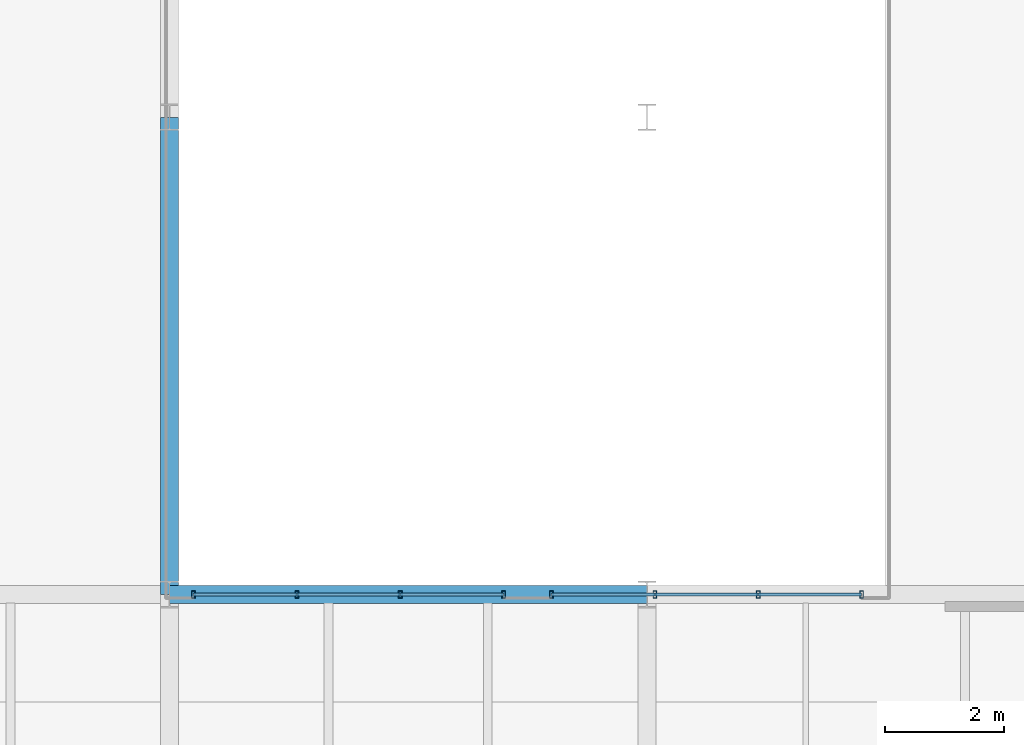
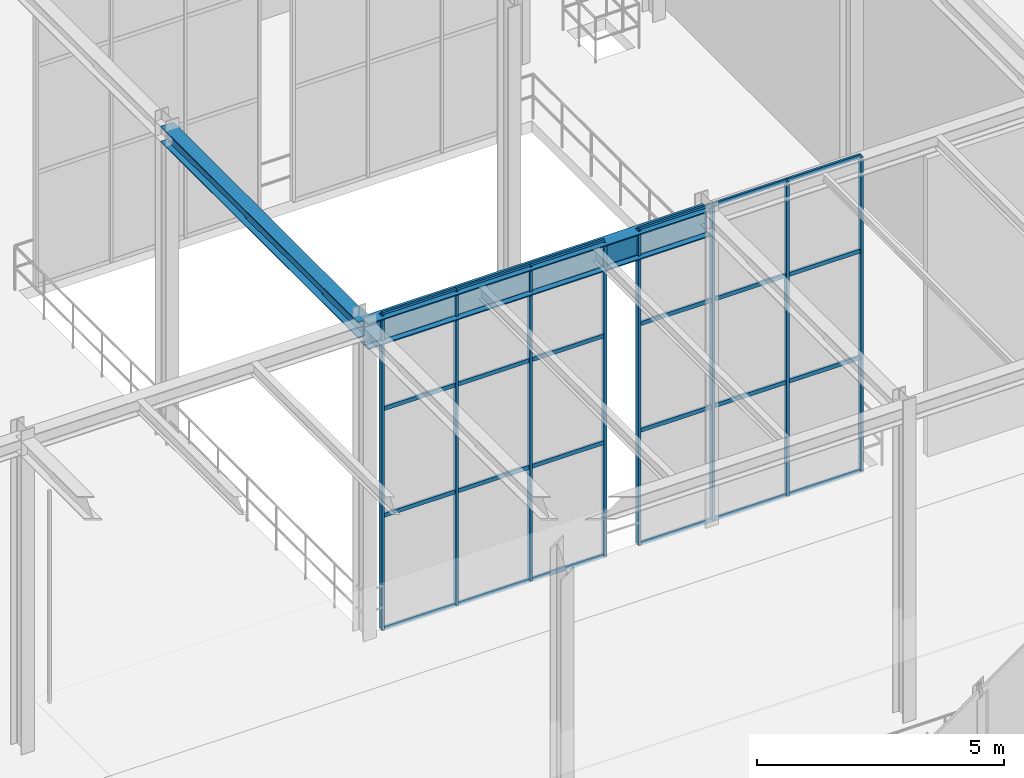
# One storey, part 68 of 138: 32 members, 2 beams, 2 elements without a shape of their own.
"""IFC4 building model written with IfcOpenShell, lengths in metres."""

from ifc_helpers import new_model, si_unit, direction, frame, origin, origin_2d, place, context, subcontext, project, spatial, hollow_rectangle, i_section, extrude, material, material_profile, profile_set, type_object, element, aggregate, save


model = new_model("IFC4")

# Units and contexts
model_context = context("Model", 3, precision=1e-05, world=origin(), true_north=direction((0.0, 1.0)))
body_context = subcontext(model_context, "Body", "Model", "MODEL_VIEW")
ifc_project = project(units=[si_unit("LENGTHUNIT", "METRE"), si_unit("AREAUNIT", "SQUARE_METRE"), si_unit("VOLUMEUNIT", "CUBIC_METRE"), si_unit("PLANEANGLEUNIT", "RADIAN"), si_unit("MASSUNIT", "GRAM", prefix="KILO")], contexts=[model_context])

# Site, building, storey
site_placement = place(None, origin())
site = spatial("IfcSite", under=ifc_project, at=site_placement, CompositionType="ELEMENT")
building_placement = place(site_placement, origin())
building = spatial("IfcBuilding", under=site, at=building_placement, Name="Sundkrona Museum", CompositionType="ELEMENT")
storey_placement = place(building_placement, frame((0.0, 0.0, 9.60009765625)))
storey = spatial("IfcBuildingStorey", under=building, at=storey_placement, Name="L02", CompositionType="ELEMENT", Elevation=9.60009765625)

# Beams
ifc_material_1 = material(Name="Steel S355J2", Category="steel")
ifc_material_profile_1 = material_profile(ifc_material_1, i_section(OverallWidth=0.300048828125, OverallDepth=0.389892578125, WebThickness=0.010986328125, FlangeThickness=0.01904296875, FilletRadius=0.027099609375, at=origin_2d()), Name="HEA 400")
ifc_profile_set_1 = profile_set([ifc_material_profile_1], Name="Steel S355J2")
beam_type_1 = type_object("IfcBeamType", Name="B-HEA400", PredefinedType="BEAM", material=ifc_profile_set_1)
beam_1_placement = place(storey_placement, frame((136.0, 16.0, 7.56494140625), z_axis=(0.0, 1.0, 0.0), x_axis=(-1.0, 0.0, 0.0)))
element("IfcBeam", 1, at=beam_1_placement, inside=storey, type_object=beam_type_1, Name="L02 Girder Y-1343", PredefinedType="BEAM", context=body_context, shape_type="SweptSolid", body=[
    extrude(i_section(OverallWidth=0.300048828125, OverallDepth=0.389892578125, WebThickness=0.010986328125, FlangeThickness=0.01904296875, FilletRadius=0.027099609375, at=origin_2d()), origin(), (0.0, 0.0, 1.0), 8.0),
])
ifc_material_profile_2 = material_profile(ifc_material_1, i_section(OverallWidth=0.300048828125, OverallDepth=0.639892578125, WebThickness=0.013427734375, FlangeThickness=0.02587890625, FilletRadius=0.027099609375, at=origin_2d()), Name="HEA 650")
ifc_profile_set_2 = profile_set([ifc_material_profile_2], Name="Steel S355J2")
beam_type_2 = type_object("IfcBeamType", Name="B-HEA650", PredefinedType="BEAM", material=ifc_profile_set_2)
beam_2_placement = place(storey_placement, frame((136.0, 16.0, 7.43994140625), z_axis=(1.0, 0.0, 0.0), x_axis=(0.0, 1.0, 0.0)))
element("IfcBeam", 2, at=beam_2_placement, inside=storey, type_object=beam_type_2, Name="L02 Girder X-1143", PredefinedType="BEAM", context=body_context, shape_type="SweptSolid", body=[
    extrude(i_section(OverallWidth=0.300048828125, OverallDepth=0.639892578125, WebThickness=0.013427734375, FlangeThickness=0.02587890625, FilletRadius=0.027099609375, at=origin_2d()), origin(), (0.0, 0.0, 1.0), 8.0),
])

# Curtain wall, members
ifc_material_2 = material(Name="Unitised Aluminium-Steel and Ceramic-Clad Curtain Walling", Category="steel")
curtain_wall_type = type_object("IfcCurtainWallType", Name="CW-SC-52x74", PredefinedType="NOTDEFINED", material=ifc_material_2)
curtain_wall_1_placement = place(storey_placement, origin())
curtain_wall_1 = element("IfcCurtainWall", 3, at=curtain_wall_1_placement, inside=storey, type_object=curtain_wall_type, Name="L02 Curtain Wall CW-L02-005", PredefinedType="NOTDEFINED")
ifc_material_3 = material(Name="Aluminium EN AW-6060 T66", Category="aluminium")
ifc_material_profile_3 = material_profile(ifc_material_3, hollow_rectangle(XDim=0.06005859375, YDim=0.1201171875, WallThickness=0.0048828125, at=origin_2d()), Name="RHS 120x60x5.0")
ifc_profile_set_3 = profile_set([ifc_material_profile_3], Name="Aluminium EN AW-6060 T66")
member_type_1 = type_object("IfcMemberType", Name="ML-120", PredefinedType="MULLION", material=ifc_profile_set_3)
member_1_placement = place(storey_placement, frame((136.39990234375, 16.0, -0.004150390625), z_axis=(0.0, 0.0, 1.0), x_axis=(1.0, 0.0, 0.0)))
member_1 = element("IfcMember", 4, at=member_1_placement, type_object=member_type_1, Name="CW-L02-005 Mullion 01", PredefinedType="MULLION", context=body_context, shape_type="SweptSolid", body=[
    extrude(hollow_rectangle(XDim=0.06005859375, YDim=0.1201171875, WallThickness=0.0048828125, at=origin_2d()), origin(), (0.0, 0.0, 1.0), 7.76806640625),
])
member_2_placement = place(storey_placement, frame((138.13330078125, 16.0, -0.004150390625), z_axis=(0.0, 0.0, 1.0), x_axis=(1.0, 0.0, 0.0)))
member_2 = element("IfcMember", 5, at=member_2_placement, type_object=member_type_1, Name="CW-L02-005 Mullion 02", PredefinedType="MULLION", context=body_context, shape_type="SweptSolid", body=[
    extrude(hollow_rectangle(XDim=0.06005859375, YDim=0.1201171875, WallThickness=0.0048828125, at=origin_2d()), origin(), (0.0, 0.0, 1.0), 7.76806640625),
])
member_3_placement = place(storey_placement, frame((139.86669921875, 16.0, -0.004150390625), z_axis=(0.0, 0.0, 1.0), x_axis=(1.0, 0.0, 0.0)))
member_3 = element("IfcMember", 6, at=member_3_placement, type_object=member_type_1, Name="CW-L02-005 Mullion 03", PredefinedType="MULLION", context=body_context, shape_type="SweptSolid", body=[
    extrude(hollow_rectangle(XDim=0.06005859375, YDim=0.1201171875, WallThickness=0.0048828125, at=origin_2d()), origin(), (0.0, 0.0, 1.0), 7.76806640625),
])
member_4_placement = place(storey_placement, frame((141.60009765625, 16.0, -0.004150390625), z_axis=(0.0, 0.0, 1.0), x_axis=(1.0, 0.0, 0.0)))
member_4 = element("IfcMember", 7, at=member_4_placement, type_object=member_type_1, Name="CW-L02-005 Mullion 04", PredefinedType="MULLION", context=body_context, shape_type="SweptSolid", body=[
    extrude(hollow_rectangle(XDim=0.06005859375, YDim=0.1201171875, WallThickness=0.0048828125, at=origin_2d()), origin(), (0.0, 0.0, 1.0), 7.76806640625),
])

curtain_wall_2_placement = place(storey_placement, origin())
curtain_wall_2 = element("IfcCurtainWall", 8, at=curtain_wall_2_placement, inside=storey, type_object=curtain_wall_type, Name="L02 Curtain Wall CW-L02-007", PredefinedType="NOTDEFINED")
member_5_placement = place(storey_placement, frame((142.39990234375, 16.0, -0.004150390625), z_axis=(0.0, 0.0, 1.0), x_axis=(1.0, 0.0, 0.0)))
member_5 = element("IfcMember", 9, at=member_5_placement, type_object=member_type_1, Name="CW-L02-007 Mullion 01", PredefinedType="MULLION", context=body_context, shape_type="SweptSolid", body=[
    extrude(hollow_rectangle(XDim=0.06005859375, YDim=0.1201171875, WallThickness=0.0048828125, at=origin_2d()), origin(), (0.0, 0.0, 1.0), 7.76806640625),
])
member_6_placement = place(storey_placement, frame((144.13330078125, 16.0, -0.004150390625), z_axis=(0.0, 0.0, 1.0), x_axis=(1.0, 0.0, 0.0)))
member_6 = element("IfcMember", 10, at=member_6_placement, type_object=member_type_1, Name="CW-L02-007 Mullion 02", PredefinedType="MULLION", context=body_context, shape_type="SweptSolid", body=[
    extrude(hollow_rectangle(XDim=0.06005859375, YDim=0.1201171875, WallThickness=0.0048828125, at=origin_2d()), origin(), (0.0, 0.0, 1.0), 7.76806640625),
])
member_7_placement = place(storey_placement, frame((145.86669921875, 16.0, -0.004150390625), z_axis=(0.0, 0.0, 1.0), x_axis=(1.0, 0.0, 0.0)))
member_7 = element("IfcMember", 11, at=member_7_placement, type_object=member_type_1, Name="CW-L02-007 Mullion 03", PredefinedType="MULLION", context=body_context, shape_type="SweptSolid", body=[
    extrude(hollow_rectangle(XDim=0.06005859375, YDim=0.1201171875, WallThickness=0.0048828125, at=origin_2d()), origin(), (0.0, 0.0, 1.0), 7.76806640625),
])
member_8_placement = place(storey_placement, frame((147.60009765625, 16.0, -0.004150390625), z_axis=(0.0, 0.0, 1.0), x_axis=(1.0, 0.0, 0.0)))
member_8 = element("IfcMember", 12, at=member_8_placement, type_object=member_type_1, Name="CW-L02-007 Mullion 04", PredefinedType="MULLION", context=body_context, shape_type="SweptSolid", body=[
    extrude(hollow_rectangle(XDim=0.06005859375, YDim=0.1201171875, WallThickness=0.0048828125, at=origin_2d()), origin(), (0.0, 0.0, 1.0), 7.76806640625),
])

# Member
ifc_material_profile_4 = material_profile(ifc_material_3, hollow_rectangle(XDim=0.050048828125, YDim=0.10009765625, WallThickness=0.0048828125, at=origin_2d()), Name="RHS 100x50x5.0")
ifc_profile_set_4 = profile_set([ifc_material_profile_4], Name="Aluminium EN AW-6060 T66")
member_type_2 = type_object("IfcMemberType", Name="TR-100", PredefinedType="USERDEFINED", material=ifc_profile_set_4)
member_9_placement = place(storey_placement, frame((136.39990234375, 16.0, -0.004150390625), z_axis=(1.0, 0.0, 0.0), x_axis=(0.0, 1.0, 0.0)))
member_9 = element("IfcMember", 13, at=member_9_placement, type_object=member_type_2, Name="CW-L02-005 Transom 01", ObjectType="TRANSOM", PredefinedType="USERDEFINED", context=body_context, shape_type="SweptSolid", body=[
    extrude(hollow_rectangle(XDim=0.050048828125, YDim=0.10009765625, WallThickness=0.0048828125, at=origin_2d()), origin(), (0.0, 0.0, 1.0), 1.7333984375),
])

member_10_placement = place(storey_placement, frame((136.39990234375, 16.0, 2.7939453125), z_axis=(1.0, 0.0, 0.0), x_axis=(0.0, 1.0, 0.0)))
member_10 = element("IfcMember", 14, at=member_10_placement, type_object=member_type_2, Name="CW-L02-005 Transom 02", ObjectType="TRANSOM", PredefinedType="USERDEFINED", context=body_context, shape_type="SweptSolid", body=[
    extrude(hollow_rectangle(XDim=0.050048828125, YDim=0.10009765625, WallThickness=0.0048828125, at=origin_2d()), origin(), (0.0, 0.0, 1.0), 1.7333984375),
])

member_11_placement = place(storey_placement, frame((136.39990234375, 16.0, 5.431884765625), z_axis=(1.0, 0.0, 0.0), x_axis=(0.0, 1.0, 0.0)))
member_11 = element("IfcMember", 15, at=member_11_placement, type_object=member_type_2, Name="CW-L02-005 Transom 03", ObjectType="TRANSOM", PredefinedType="USERDEFINED", context=body_context, shape_type="SweptSolid", body=[
    extrude(hollow_rectangle(XDim=0.050048828125, YDim=0.10009765625, WallThickness=0.0048828125, at=origin_2d()), origin(), (0.0, 0.0, 1.0), 1.7333984375),
])

member_12_placement = place(storey_placement, frame((136.39990234375, 16.0, 7.763916015625), z_axis=(1.0, 0.0, 0.0), x_axis=(0.0, 1.0, 0.0)))
member_12 = element("IfcMember", 16, at=member_12_placement, type_object=member_type_2, Name="CW-L02-005 Transom 04", ObjectType="TRANSOM", PredefinedType="USERDEFINED", context=body_context, shape_type="SweptSolid", body=[
    extrude(hollow_rectangle(XDim=0.050048828125, YDim=0.10009765625, WallThickness=0.0048828125, at=origin_2d()), origin(), (0.0, 0.0, 1.0), 1.7333984375),
])

member_13_placement = place(storey_placement, frame((138.13330078125, 16.0, -0.004150390625), z_axis=(1.0, 0.0, 0.0), x_axis=(0.0, 1.0, 0.0)))
member_13 = element("IfcMember", 17, at=member_13_placement, type_object=member_type_2, Name="CW-L02-005 Transom 05", ObjectType="TRANSOM", PredefinedType="USERDEFINED", context=body_context, shape_type="SweptSolid", body=[
    extrude(hollow_rectangle(XDim=0.050048828125, YDim=0.10009765625, WallThickness=0.0048828125, at=origin_2d()), origin(), (0.0, 0.0, 1.0), 1.7333984375),
])

member_14_placement = place(storey_placement, frame((138.13330078125, 16.0, 2.7939453125), z_axis=(1.0, 0.0, 0.0), x_axis=(0.0, 1.0, 0.0)))
member_14 = element("IfcMember", 18, at=member_14_placement, type_object=member_type_2, Name="CW-L02-005 Transom 06", ObjectType="TRANSOM", PredefinedType="USERDEFINED", context=body_context, shape_type="SweptSolid", body=[
    extrude(hollow_rectangle(XDim=0.050048828125, YDim=0.10009765625, WallThickness=0.0048828125, at=origin_2d()), origin(), (0.0, 0.0, 1.0), 1.7333984375),
])

member_15_placement = place(storey_placement, frame((138.13330078125, 16.0, 5.431884765625), z_axis=(1.0, 0.0, 0.0), x_axis=(0.0, 1.0, 0.0)))
member_15 = element("IfcMember", 19, at=member_15_placement, type_object=member_type_2, Name="CW-L02-005 Transom 07", ObjectType="TRANSOM", PredefinedType="USERDEFINED", context=body_context, shape_type="SweptSolid", body=[
    extrude(hollow_rectangle(XDim=0.050048828125, YDim=0.10009765625, WallThickness=0.0048828125, at=origin_2d()), origin(), (0.0, 0.0, 1.0), 1.7333984375),
])

member_16_placement = place(storey_placement, frame((138.13330078125, 16.0, 7.763916015625), z_axis=(1.0, 0.0, 0.0), x_axis=(0.0, 1.0, 0.0)))
member_16 = element("IfcMember", 20, at=member_16_placement, type_object=member_type_2, Name="CW-L02-005 Transom 08", ObjectType="TRANSOM", PredefinedType="USERDEFINED", context=body_context, shape_type="SweptSolid", body=[
    extrude(hollow_rectangle(XDim=0.050048828125, YDim=0.10009765625, WallThickness=0.0048828125, at=origin_2d()), origin(), (0.0, 0.0, 1.0), 1.7333984375),
])

member_17_placement = place(storey_placement, frame((139.86669921875, 16.0, -0.004150390625), z_axis=(1.0, 0.0, 0.0), x_axis=(0.0, 1.0, 0.0)))
member_17 = element("IfcMember", 21, at=member_17_placement, type_object=member_type_2, Name="CW-L02-005 Transom 09", ObjectType="TRANSOM", PredefinedType="USERDEFINED", context=body_context, shape_type="SweptSolid", body=[
    extrude(hollow_rectangle(XDim=0.050048828125, YDim=0.10009765625, WallThickness=0.0048828125, at=origin_2d()), origin(), (0.0, 0.0, 1.0), 1.7333984375),
])

member_18_placement = place(storey_placement, frame((139.86669921875, 16.0, 2.7939453125), z_axis=(1.0, 0.0, 0.0), x_axis=(0.0, 1.0, 0.0)))
member_18 = element("IfcMember", 22, at=member_18_placement, type_object=member_type_2, Name="CW-L02-005 Transom 10", ObjectType="TRANSOM", PredefinedType="USERDEFINED", context=body_context, shape_type="SweptSolid", body=[
    extrude(hollow_rectangle(XDim=0.050048828125, YDim=0.10009765625, WallThickness=0.0048828125, at=origin_2d()), origin(), (0.0, 0.0, 1.0), 1.7333984375),
])

member_19_placement = place(storey_placement, frame((139.86669921875, 16.0, 5.431884765625), z_axis=(1.0, 0.0, 0.0), x_axis=(0.0, 1.0, 0.0)))
member_19 = element("IfcMember", 23, at=member_19_placement, type_object=member_type_2, Name="CW-L02-005 Transom 11", ObjectType="TRANSOM", PredefinedType="USERDEFINED", context=body_context, shape_type="SweptSolid", body=[
    extrude(hollow_rectangle(XDim=0.050048828125, YDim=0.10009765625, WallThickness=0.0048828125, at=origin_2d()), origin(), (0.0, 0.0, 1.0), 1.7333984375),
])

member_20_placement = place(storey_placement, frame((139.86669921875, 16.0, 7.763916015625), z_axis=(1.0, 0.0, 0.0), x_axis=(0.0, 1.0, 0.0)))
member_20 = element("IfcMember", 24, at=member_20_placement, type_object=member_type_2, Name="CW-L02-005 Transom 12", ObjectType="TRANSOM", PredefinedType="USERDEFINED", context=body_context, shape_type="SweptSolid", body=[
    extrude(hollow_rectangle(XDim=0.050048828125, YDim=0.10009765625, WallThickness=0.0048828125, at=origin_2d()), origin(), (0.0, 0.0, 1.0), 1.7333984375),
])

aggregate(curtain_wall_1, [member_1, member_2, member_3, member_4, member_9, member_10, member_11, member_12, member_13, member_14, member_15, member_16, member_17, member_18, member_19, member_20])

member_21_placement = place(storey_placement, frame((142.39990234375, 16.0, -0.004150390625), z_axis=(1.0, 0.0, 0.0), x_axis=(0.0, 1.0, 0.0)))
member_21 = element("IfcMember", 25, at=member_21_placement, type_object=member_type_2, Name="CW-L02-007 Transom 01", ObjectType="TRANSOM", PredefinedType="USERDEFINED", context=body_context, shape_type="SweptSolid", body=[
    extrude(hollow_rectangle(XDim=0.050048828125, YDim=0.10009765625, WallThickness=0.0048828125, at=origin_2d()), origin(), (0.0, 0.0, 1.0), 1.7333984375),
])

member_22_placement = place(storey_placement, frame((142.39990234375, 16.0, 2.7939453125), z_axis=(1.0, 0.0, 0.0), x_axis=(0.0, 1.0, 0.0)))
member_22 = element("IfcMember", 26, at=member_22_placement, type_object=member_type_2, Name="CW-L02-007 Transom 02", ObjectType="TRANSOM", PredefinedType="USERDEFINED", context=body_context, shape_type="SweptSolid", body=[
    extrude(hollow_rectangle(XDim=0.050048828125, YDim=0.10009765625, WallThickness=0.0048828125, at=origin_2d()), origin(), (0.0, 0.0, 1.0), 1.7333984375),
])

member_23_placement = place(storey_placement, frame((142.39990234375, 16.0, 5.431884765625), z_axis=(1.0, 0.0, 0.0), x_axis=(0.0, 1.0, 0.0)))
member_23 = element("IfcMember", 27, at=member_23_placement, type_object=member_type_2, Name="CW-L02-007 Transom 03", ObjectType="TRANSOM", PredefinedType="USERDEFINED", context=body_context, shape_type="SweptSolid", body=[
    extrude(hollow_rectangle(XDim=0.050048828125, YDim=0.10009765625, WallThickness=0.0048828125, at=origin_2d()), origin(), (0.0, 0.0, 1.0), 1.7333984375),
])

member_24_placement = place(storey_placement, frame((142.39990234375, 16.0, 7.763916015625), z_axis=(1.0, 0.0, 0.0), x_axis=(0.0, 1.0, 0.0)))
member_24 = element("IfcMember", 28, at=member_24_placement, type_object=member_type_2, Name="CW-L02-007 Transom 04", ObjectType="TRANSOM", PredefinedType="USERDEFINED", context=body_context, shape_type="SweptSolid", body=[
    extrude(hollow_rectangle(XDim=0.050048828125, YDim=0.10009765625, WallThickness=0.0048828125, at=origin_2d()), origin(), (0.0, 0.0, 1.0), 1.7333984375),
])

member_25_placement = place(storey_placement, frame((144.13330078125, 16.0, -0.004150390625), z_axis=(1.0, 0.0, 0.0), x_axis=(0.0, 1.0, 0.0)))
member_25 = element("IfcMember", 29, at=member_25_placement, type_object=member_type_2, Name="CW-L02-007 Transom 05", ObjectType="TRANSOM", PredefinedType="USERDEFINED", context=body_context, shape_type="SweptSolid", body=[
    extrude(hollow_rectangle(XDim=0.050048828125, YDim=0.10009765625, WallThickness=0.0048828125, at=origin_2d()), origin(), (0.0, 0.0, 1.0), 1.7333984375),
])

member_26_placement = place(storey_placement, frame((144.13330078125, 16.0, 2.7939453125), z_axis=(1.0, 0.0, 0.0), x_axis=(0.0, 1.0, 0.0)))
member_26 = element("IfcMember", 30, at=member_26_placement, type_object=member_type_2, Name="CW-L02-007 Transom 06", ObjectType="TRANSOM", PredefinedType="USERDEFINED", context=body_context, shape_type="SweptSolid", body=[
    extrude(hollow_rectangle(XDim=0.050048828125, YDim=0.10009765625, WallThickness=0.0048828125, at=origin_2d()), origin(), (0.0, 0.0, 1.0), 1.7333984375),
])

member_27_placement = place(storey_placement, frame((144.13330078125, 16.0, 5.431884765625), z_axis=(1.0, 0.0, 0.0), x_axis=(0.0, 1.0, 0.0)))
member_27 = element("IfcMember", 31, at=member_27_placement, type_object=member_type_2, Name="CW-L02-007 Transom 07", ObjectType="TRANSOM", PredefinedType="USERDEFINED", context=body_context, shape_type="SweptSolid", body=[
    extrude(hollow_rectangle(XDim=0.050048828125, YDim=0.10009765625, WallThickness=0.0048828125, at=origin_2d()), origin(), (0.0, 0.0, 1.0), 1.7333984375),
])

member_28_placement = place(storey_placement, frame((144.13330078125, 16.0, 7.763916015625), z_axis=(1.0, 0.0, 0.0), x_axis=(0.0, 1.0, 0.0)))
member_28 = element("IfcMember", 32, at=member_28_placement, type_object=member_type_2, Name="CW-L02-007 Transom 08", ObjectType="TRANSOM", PredefinedType="USERDEFINED", context=body_context, shape_type="SweptSolid", body=[
    extrude(hollow_rectangle(XDim=0.050048828125, YDim=0.10009765625, WallThickness=0.0048828125, at=origin_2d()), origin(), (0.0, 0.0, 1.0), 1.7333984375),
])

member_29_placement = place(storey_placement, frame((145.86669921875, 16.0, -0.004150390625), z_axis=(1.0, 0.0, 0.0), x_axis=(0.0, 1.0, 0.0)))
member_29 = element("IfcMember", 33, at=member_29_placement, type_object=member_type_2, Name="CW-L02-007 Transom 09", ObjectType="TRANSOM", PredefinedType="USERDEFINED", context=body_context, shape_type="SweptSolid", body=[
    extrude(hollow_rectangle(XDim=0.050048828125, YDim=0.10009765625, WallThickness=0.0048828125, at=origin_2d()), origin(), (0.0, 0.0, 1.0), 1.7333984375),
])

member_30_placement = place(storey_placement, frame((145.86669921875, 16.0, 2.7939453125), z_axis=(1.0, 0.0, 0.0), x_axis=(0.0, 1.0, 0.0)))
member_30 = element("IfcMember", 34, at=member_30_placement, type_object=member_type_2, Name="CW-L02-007 Transom 10", ObjectType="TRANSOM", PredefinedType="USERDEFINED", context=body_context, shape_type="SweptSolid", body=[
    extrude(hollow_rectangle(XDim=0.050048828125, YDim=0.10009765625, WallThickness=0.0048828125, at=origin_2d()), origin(), (0.0, 0.0, 1.0), 1.7333984375),
])

member_31_placement = place(storey_placement, frame((145.86669921875, 16.0, 5.431884765625), z_axis=(1.0, 0.0, 0.0), x_axis=(0.0, 1.0, 0.0)))
member_31 = element("IfcMember", 35, at=member_31_placement, type_object=member_type_2, Name="CW-L02-007 Transom 11", ObjectType="TRANSOM", PredefinedType="USERDEFINED", context=body_context, shape_type="SweptSolid", body=[
    extrude(hollow_rectangle(XDim=0.050048828125, YDim=0.10009765625, WallThickness=0.0048828125, at=origin_2d()), origin(), (0.0, 0.0, 1.0), 1.7333984375),
])

member_32_placement = place(storey_placement, frame((145.86669921875, 16.0, 7.763916015625), z_axis=(1.0, 0.0, 0.0), x_axis=(0.0, 1.0, 0.0)))
member_32 = element("IfcMember", 36, at=member_32_placement, type_object=member_type_2, Name="CW-L02-007 Transom 12", ObjectType="TRANSOM", PredefinedType="USERDEFINED", context=body_context, shape_type="SweptSolid", body=[
    extrude(hollow_rectangle(XDim=0.050048828125, YDim=0.10009765625, WallThickness=0.0048828125, at=origin_2d()), origin(), (0.0, 0.0, 1.0), 1.7333984375),
])

aggregate(curtain_wall_2, [member_5, member_6, member_7, member_8, member_21, member_22, member_23, member_24, member_25, member_26, member_27, member_28, member_29, member_30, member_31, member_32])

save(model, "model.ifc")
